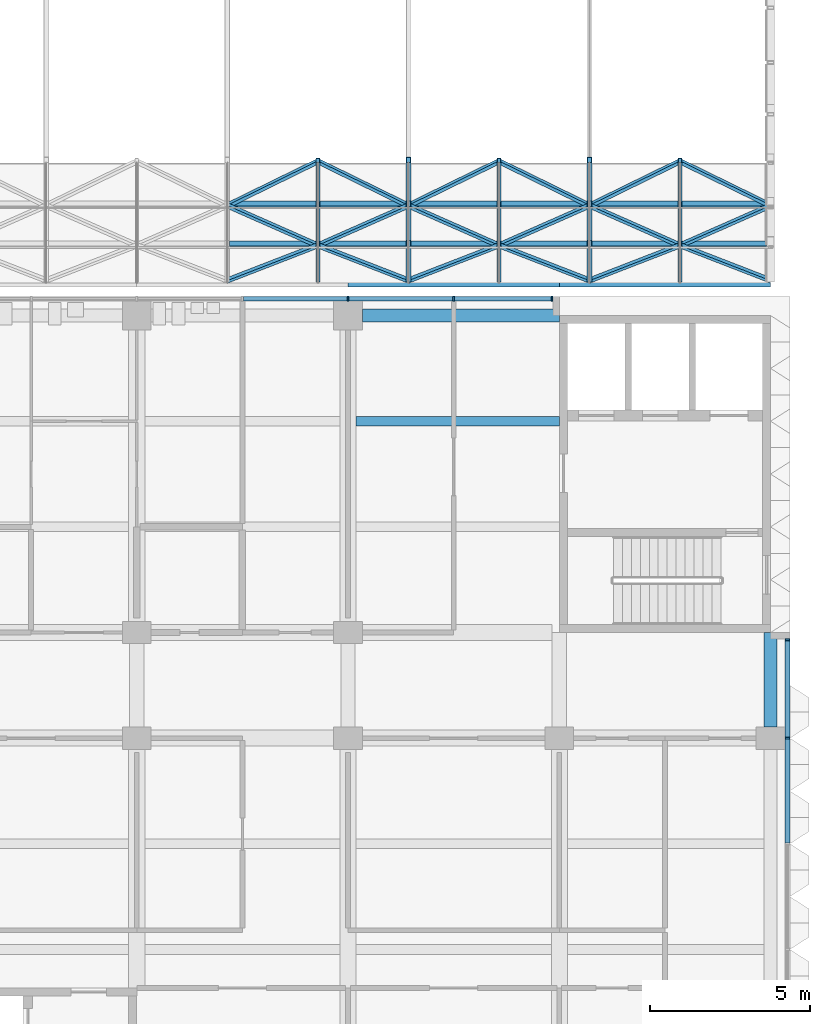
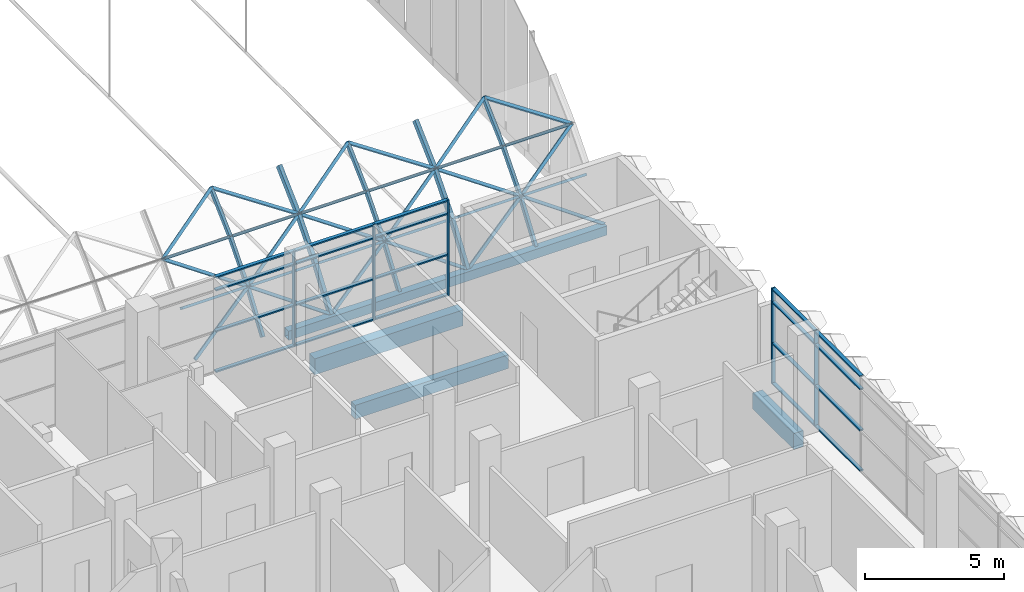
# One storey, part 29 of 109: 70 members, 5 beams, 2 elements without a shape of their own.
"""IFC4 building model written with IfcOpenShell, lengths in metres."""

from ifc_helpers import new_model, si_unit, direction, frame, origin, origin_2d, place, context, subcontext, project, spatial, rectangle, hollow_rectangle, extrude, material, material_profile, profile_set, type_object, element, aggregate, save


model = new_model("IFC4")

# Units and contexts
model_context = context("Model", 3, precision=1e-05, world=origin(), true_north=direction((0.0, 1.0)))
body_context = subcontext(model_context, "Body", "Model", "MODEL_VIEW")
ifc_project = project(units=[si_unit("LENGTHUNIT", "METRE"), si_unit("AREAUNIT", "SQUARE_METRE"), si_unit("VOLUMEUNIT", "CUBIC_METRE"), si_unit("PLANEANGLEUNIT", "RADIAN"), si_unit("MASSUNIT", "GRAM", prefix="KILO")], contexts=[model_context])

# Site, building, storey
site_placement = place(None, origin())
site = spatial("IfcSite", under=ifc_project, at=site_placement, CompositionType="ELEMENT")
building_placement = place(site_placement, origin())
building = spatial("IfcBuilding", under=site, at=building_placement, Name="Lantern Court Research Institute", CompositionType="ELEMENT")
storey_placement = place(building_placement, frame((0.0, 0.0, 14.39990234375)))
storey = spatial("IfcBuildingStorey", under=building, at=storey_placement, Name="L03", CompositionType="ELEMENT", Elevation=14.39990234375)

# Members
ifc_material_1 = material(Name="Structural steel S355", Category="steel")
ifc_material_profile_1 = material_profile(ifc_material_1, hollow_rectangle(XDim=0.1201171875, YDim=0.1201171875, WallThickness=0.008056640625, at=origin_2d()), Name="Gridshell haunch diagonal RHS 120 x 120 x 8")
ifc_profile_set_1 = profile_set([ifc_material_profile_1], Name="Structural steel S355")
member_type_1 = type_object("IfcMemberType", Name="Gridshell haunch diagonal RHS 120 x 120 x 8", PredefinedType="BRACE", material=ifc_profile_set_1)
for number, where, z_axis, x_axis, name in (
    (1, (62.228515625, 24.198974609375, 0.365478515625), (0.829757421007, 0.321633055217, 0.45613024464), (-0.558124199292, 0.478137532634, 0.678145912065), "Gridshell diagonal"),
    (2, (65.05712890625, 25.29150390625, 1.91552734375), (-0.829775196139, 0.365828733116, 0.421476525917), (-0.558097772678, -0.543914119911, -0.62664527948), "Gridshell diagonal"),
    (3, (62.228515625, 26.534423828125, 3.347900390625), (0.829761681147, 0.406358344452, 0.382581296451), (-0.558117866133, 0.60414109168, 0.568786417601), "Gridshell diagonal"),
    (4, (67.8857421875, 24.198974609375, 0.365478515625), (-0.829757421007, 0.321633055217, 0.45613024464), (-0.558124199292, -0.478137532634, -0.678145912065), "Gridshell diagonal"),
    (5, (65.05712890625, 25.29150390625, 1.91552734375), (0.829775196139, 0.365828733116, 0.421476525917), (-0.558097772678, 0.543914119911, 0.62664527948), "Gridshell diagonal"),
    (6, (67.8857421875, 26.534423828125, 3.347900390625), (-0.829761681147, 0.406358344452, 0.382581296451), (-0.558117866133, -0.60414109168, -0.568786417601), "Gridshell diagonal"),
    (7, (67.8857421875, 24.198974609375, 0.365478515625), (0.829757421007, 0.321633055217, 0.45613024464), (-0.558124199292, 0.478137532634, 0.678145912065), "Gridshell diagonal"),
    (8, (70.71435546875, 25.29150390625, 1.91552734375), (-0.829775196139, 0.365828733116, 0.421476525917), (-0.558097772678, -0.543914119911, -0.62664527948), "Gridshell diagonal"),
    (9, (67.8857421875, 26.534423828125, 3.347900390625), (0.829761681147, 0.406358344452, 0.382581296451), (-0.558117866133, 0.60414109168, 0.568786417601), "Gridshell diagonal"),
    (10, (73.54296875, 24.198974609375, 0.365478515625), (-0.829757421007, 0.321633055217, 0.45613024464), (-0.558124199292, -0.478137532634, -0.678145912065), "Gridshell diagonal"),
    (11, (70.71435546875, 25.29150390625, 1.91552734375), (0.829775196139, 0.365828733116, 0.421476525917), (-0.558097772678, 0.543914119911, 0.62664527948), "Gridshell diagonal"),
    (12, (73.54296875, 26.534423828125, 3.347900390625), (-0.829761681147, 0.406358344452, 0.382581296451), (-0.558117866133, -0.60414109168, -0.568786417601), "Gridshell diagonal"),
):
    element("IfcMember", number, at=place(storey_placement, frame(where, z_axis=z_axis, x_axis=x_axis)), inside=storey, type_object=member_type_1, Name=name, PredefinedType="BRACE", context=body_context, shape_type="SweptSolid", body=[
        extrude(hollow_rectangle(XDim=0.1201171875, YDim=0.1201171875, WallThickness=0.008056640625, at=origin_2d()), origin(), (0.0, 0.0, 1.0), 3.408935546875),
    ])
for number, where, z_axis, x_axis, name in (
    (13, (73.54296875, 24.198974609375, 0.365478515625), (0.829735110058, 0.321652169121, 0.456157351399), (-0.558157366986, 0.478113831457, 0.678135324142), "Gridshell diagonal"),
    (14, (76.371337890625, 25.29150390625, 1.91552734375), (-0.829752886825, 0.365850474398, 0.42150157436), (-0.55813094053, -0.54388935428, -0.62663723439), "Gridshell diagonal"),
    (15, (73.54296875, 26.534423828125, 3.347900390625), (0.82973937059, 0.406382493632, 0.382604032602), (-0.558151034099, 0.604115905866, 0.568780621518), "Gridshell diagonal"),
):
    element("IfcMember", number, at=place(storey_placement, frame(where, z_axis=z_axis, x_axis=x_axis)), inside=storey, type_object=member_type_1, Name=name, PredefinedType="BRACE", context=body_context, shape_type="SweptSolid", body=[
        extrude(hollow_rectangle(XDim=0.1201171875, YDim=0.1201171875, WallThickness=0.008056640625, at=origin_2d()), origin(), (0.0, 0.0, 1.0), 3.40869140625),
    ])
for number, where, z_axis, x_axis, name in (
    (16, (79.199951171875, 24.198974609375, 0.365478515625), (-0.829757421007, 0.321633055217, 0.45613024464), (-0.558124199292, -0.478137532634, -0.678145912065), "Gridshell diagonal"),
    (17, (76.371337890625, 25.29150390625, 1.91552734375), (0.829775196139, 0.365828733116, 0.421476525917), (-0.558097772678, 0.543914119911, 0.62664527948), "Gridshell diagonal"),
    (18, (79.199951171875, 26.534423828125, 3.347900390625), (-0.829761681147, 0.406358344452, 0.382581296451), (-0.558117866133, -0.60414109168, -0.568786417601), "Gridshell diagonal"),
):
    element("IfcMember", number, at=place(storey_placement, frame(where, z_axis=z_axis, x_axis=x_axis)), inside=storey, type_object=member_type_1, Name=name, PredefinedType="BRACE", context=body_context, shape_type="SweptSolid", body=[
        extrude(hollow_rectangle(XDim=0.1201171875, YDim=0.1201171875, WallThickness=0.008056640625, at=origin_2d()), origin(), (0.0, 0.0, 1.0), 3.408935546875),
    ])
ifc_material_2 = material(Name="Structural steel S355", Category="steel")
ifc_material_profile_2 = material_profile(ifc_material_2, hollow_rectangle(XDim=0.10009765625, YDim=0.199951171875, WallThickness=0.008056640625, at=origin_2d()), Name="Gridshell purlin RHS 200 x 100 x 8")
ifc_profile_set_2 = profile_set([ifc_material_profile_2], Name="Structural steel S355")
member_type_2 = type_object("IfcMemberType", Name="Gridshell purlin RHS 200 x 100 x 8", PredefinedType="PURLIN", material=ifc_profile_set_2)
for number, where, z_axis, x_axis, name in (
    (19, (62.303466796875, 25.324951171875, 1.893310546875), (1.0, 0.0, 0.0), (0.0, 0.616657332959, 0.787231689979), "Gridshell purlin"),
    (20, (65.1171875, 25.324951171875, 1.893310546875), (1.0, 0.0, 0.0), (0.0, 0.616657332959, 0.787231689979), "Gridshell purlin"),
    (21, (67.960693359375, 25.324951171875, 1.893310546875), (1.0, 0.0, 0.0), (0.0, 0.616657332959, 0.787231689979), "Gridshell purlin"),
    (22, (70.774169921875, 25.324951171875, 1.893310546875), (1.0, 0.0, 0.0), (0.0, 0.616657332959, 0.787231689979), "Gridshell purlin"),
    (23, (73.617919921875, 25.324951171875, 1.893310546875), (1.0, 0.0, 0.0), (0.0, 0.616657332959, 0.787231689979), "Gridshell purlin"),
):
    element("IfcMember", number, at=place(storey_placement, frame(where, z_axis=z_axis, x_axis=x_axis)), inside=storey, type_object=member_type_2, Name=name, PredefinedType="PURLIN", context=body_context, shape_type="SweptSolid", body=[
        extrude(hollow_rectangle(XDim=0.10009765625, YDim=0.199951171875, WallThickness=0.008056640625, at=origin_2d()), origin(), (0.0, 0.0, 1.0), 2.693603515625),
    ])
member_1_placement = place(storey_placement, frame((76.431396484375, 25.324951171875, 1.893310546875), z_axis=(1.0, 0.0, 0.0), x_axis=(0.0, 0.616657332959, 0.787231689979)))
element("IfcMember", 24, at=member_1_placement, inside=storey, type_object=member_type_2, Name="Gridshell purlin", PredefinedType="PURLIN", context=body_context, shape_type="SweptSolid", body=[
    extrude(hollow_rectangle(XDim=0.10009765625, YDim=0.199951171875, WallThickness=0.008056640625, at=origin_2d()), origin(), (0.0, 0.0, 1.0), 2.6435546875),
])
for number, where, z_axis, x_axis, name in (
    (25, (62.303466796875, 26.5654296875, 3.322265625), (1.0, 0.0, 0.0), (0.0, 0.692674230917, 0.721250587399), "Gridshell purlin"),
    (26, (65.1171875, 26.5654296875, 3.322265625), (1.0, 0.0, 0.0), (0.0, 0.692674230917, 0.721250587399), "Gridshell purlin"),
    (27, (67.960693359375, 26.5654296875, 3.322265625), (1.0, 0.0, 0.0), (0.0, 0.692674230917, 0.721250587399), "Gridshell purlin"),
    (28, (70.774169921875, 26.5654296875, 3.322265625), (1.0, 0.0, 0.0), (0.0, 0.692674230917, 0.721250587399), "Gridshell purlin"),
    (29, (73.617919921875, 26.5654296875, 3.322265625), (1.0, 0.0, 0.0), (0.0, 0.692674230917, 0.721250587399), "Gridshell purlin"),
):
    element("IfcMember", number, at=place(storey_placement, frame(where, z_axis=z_axis, x_axis=x_axis)), inside=storey, type_object=member_type_2, Name=name, PredefinedType="PURLIN", context=body_context, shape_type="SweptSolid", body=[
        extrude(hollow_rectangle(XDim=0.10009765625, YDim=0.199951171875, WallThickness=0.008056640625, at=origin_2d()), origin(), (0.0, 0.0, 1.0), 2.693603515625),
    ])
member_2_placement = place(storey_placement, frame((76.431396484375, 26.5654296875, 3.322265625), z_axis=(1.0, 0.0, 0.0), x_axis=(0.0, 0.692674230917, 0.721250587399)))
element("IfcMember", 30, at=member_2_placement, inside=storey, type_object=member_type_2, Name="Gridshell purlin", PredefinedType="PURLIN", context=body_context, shape_type="SweptSolid", body=[
    extrude(hollow_rectangle(XDim=0.10009765625, YDim=0.199951171875, WallThickness=0.008056640625, at=origin_2d()), origin(), (0.0, 0.0, 1.0), 2.6435546875),
])

# Beams
ifc_material_3 = material(Name="Structural steel S355", Category="steel")
ifc_material_profile_3 = material_profile(ifc_material_3, hollow_rectangle(XDim=0.300048828125, YDim=0.39990234375, WallThickness=0.01611328125, at=origin_2d()), Name="Gridshell ring beam RHS 400 x 300 x 16")
ifc_profile_set_3 = profile_set([ifc_material_profile_3], Name="Structural steel S355")
beam_type_1 = type_object("IfcBeamType", Name="Gridshell ring beam RHS 400 x 300 x 16", PredefinedType="BEAM", material=ifc_profile_set_3)
beam_1_placement = place(storey_placement, frame((66.0, 24.14990234375, 0.2001953125), z_axis=(1.0, 0.0, 0.0), x_axis=(0.0, 1.0, 0.0)))
element("IfcBeam", 31, at=beam_1_placement, inside=storey, type_object=beam_type_1, Name="Ring beam S", PredefinedType="BEAM", context=body_context, shape_type="SweptSolid", body=[
    extrude(hollow_rectangle(XDim=0.300048828125, YDim=0.39990234375, WallThickness=0.01611328125, at=origin_2d()), origin(), (0.0, 0.0, 1.0), 6.60009765625),
])
beam_2_placement = place(storey_placement, frame((72.60009765625, 24.14990234375, 0.2001953125), z_axis=(1.0, 0.0, 0.0), x_axis=(0.0, 1.0, 0.0)))
element("IfcBeam", 32, at=beam_2_placement, inside=storey, type_object=beam_type_1, Name="Ring beam S", PredefinedType="BEAM", context=body_context, shape_type="SweptSolid", body=[
    extrude(hollow_rectangle(XDim=0.300048828125, YDim=0.39990234375, WallThickness=0.01611328125, at=origin_2d()), origin(), (0.0, 0.0, 1.0), 6.599853515625),
])

# Members
ifc_material_4 = material(Name="Structural steel S355", Category="steel")
ifc_material_profile_4 = material_profile(ifc_material_4, hollow_rectangle(XDim=0.1201171875, YDim=0.199951171875, WallThickness=0.008056640625, at=origin_2d()), Name="Gridshell secondary rib RHS 200 x 120 x 8")
ifc_profile_set_4 = profile_set([ifc_material_profile_4], Name="Structural steel S355")
member_type_3 = type_object("IfcMemberType", Name="Gridshell secondary rib RHS 200 x 120 x 8", PredefinedType="RAFTER", material=ifc_profile_set_4)
member_3_placement = place(storey_placement, frame((65.05712890625, 24.231689453125, 0.342529296875), z_axis=(0.0, 0.576335495229, 0.817213189406), x_axis=(-1.0, 0.0, 0.0)))
element("IfcMember", 33, at=member_3_placement, inside=storey, type_object=member_type_3, Name="Gridshell secondary rib", PredefinedType="RAFTER", context=body_context, shape_type="SweptSolid", body=[
    extrude(hollow_rectangle(XDim=0.1201171875, YDim=0.199951171875, WallThickness=0.008056640625, at=origin_2d()), origin(), (0.0, 0.0, 1.0), 1.90234375),
])
member_4_placement = place(storey_placement, frame((65.05712890625, 25.32177734375, 1.889404296875), z_axis=(0.0, 0.655492193344, 0.755201949458), x_axis=(-1.0, 0.0, 0.0)))
element("IfcMember", 34, at=member_4_placement, inside=storey, type_object=member_type_3, Name="Gridshell secondary rib", PredefinedType="RAFTER", context=body_context, shape_type="SweptSolid", body=[
    extrude(hollow_rectangle(XDim=0.1201171875, YDim=0.199951171875, WallThickness=0.008056640625, at=origin_2d()), origin(), (0.0, 0.0, 1.0), 1.902587890625),
])
for number, where, z_axis, x_axis, name in (
    (35, (65.05712890625, 26.561767578125, 3.31884765625), (0.0, 0.728151013069, 0.68541673613), (-1.0, 0.0, 0.0), "Gridshell secondary rib"),
    (36, (70.71435546875, 24.231689453125, 0.342529296875), (0.0, 0.576335495229, 0.817213189406), (-1.0, 0.0, 0.0), "Gridshell secondary rib"),
):
    element("IfcMember", number, at=place(storey_placement, frame(where, z_axis=z_axis, x_axis=x_axis)), inside=storey, type_object=member_type_3, Name=name, PredefinedType="RAFTER", context=body_context, shape_type="SweptSolid", body=[
        extrude(hollow_rectangle(XDim=0.1201171875, YDim=0.199951171875, WallThickness=0.008056640625, at=origin_2d()), origin(), (0.0, 0.0, 1.0), 1.90234375),
    ])
member_5_placement = place(storey_placement, frame((70.71435546875, 25.32177734375, 1.889404296875), z_axis=(0.0, 0.655492193344, 0.755201949458), x_axis=(-1.0, 0.0, 0.0)))
element("IfcMember", 37, at=member_5_placement, inside=storey, type_object=member_type_3, Name="Gridshell secondary rib", PredefinedType="RAFTER", context=body_context, shape_type="SweptSolid", body=[
    extrude(hollow_rectangle(XDim=0.1201171875, YDim=0.199951171875, WallThickness=0.008056640625, at=origin_2d()), origin(), (0.0, 0.0, 1.0), 1.902587890625),
])
for number, where, z_axis, x_axis, name in (
    (38, (70.71435546875, 26.561767578125, 3.31884765625), (0.0, 0.728151013069, 0.68541673613), (-1.0, 0.0, 0.0), "Gridshell secondary rib"),
    (39, (76.371337890625, 24.231689453125, 0.342529296875), (0.0, 0.576335495229, 0.817213189406), (-1.0, 0.0, 0.0), "Gridshell secondary rib"),
):
    element("IfcMember", number, at=place(storey_placement, frame(where, z_axis=z_axis, x_axis=x_axis)), inside=storey, type_object=member_type_3, Name=name, PredefinedType="RAFTER", context=body_context, shape_type="SweptSolid", body=[
        extrude(hollow_rectangle(XDim=0.1201171875, YDim=0.199951171875, WallThickness=0.008056640625, at=origin_2d()), origin(), (0.0, 0.0, 1.0), 1.90234375),
    ])
member_6_placement = place(storey_placement, frame((76.371337890625, 25.32177734375, 1.889404296875), z_axis=(0.0, 0.655492193344, 0.755201949458), x_axis=(-1.0, 0.0, 0.0)))
element("IfcMember", 40, at=member_6_placement, inside=storey, type_object=member_type_3, Name="Gridshell secondary rib", PredefinedType="RAFTER", context=body_context, shape_type="SweptSolid", body=[
    extrude(hollow_rectangle(XDim=0.1201171875, YDim=0.199951171875, WallThickness=0.008056640625, at=origin_2d()), origin(), (0.0, 0.0, 1.0), 1.902587890625),
])
member_7_placement = place(storey_placement, frame((76.371337890625, 26.561767578125, 3.31884765625), z_axis=(0.0, 0.728151013069, 0.68541673613), x_axis=(-1.0, 0.0, 0.0)))
element("IfcMember", 41, at=member_7_placement, inside=storey, type_object=member_type_3, Name="Gridshell secondary rib", PredefinedType="RAFTER", context=body_context, shape_type="SweptSolid", body=[
    extrude(hollow_rectangle(XDim=0.1201171875, YDim=0.199951171875, WallThickness=0.008056640625, at=origin_2d()), origin(), (0.0, 0.0, 1.0), 1.90234375),
])
ifc_material_5 = material(Name="Structural steel S355", Category="steel")
ifc_material_profile_5 = material_profile(ifc_material_5, hollow_rectangle(XDim=0.14990234375, YDim=0.25, WallThickness=0.010009765625, at=origin_2d()), Name="Gridshell springing rib RHS 250 x 150 x 10")
ifc_profile_set_5 = profile_set([ifc_material_profile_5], Name="Structural steel S355")
member_type_4 = type_object("IfcMemberType", Name="Gridshell springing rib RHS 250 x 150 x 10", PredefinedType="RAFTER", material=ifc_profile_set_5)
member_8_placement = place(storey_placement, frame((67.8857421875, 24.252197265625, 0.328125), z_axis=(0.0, 0.576249781335, 0.817273631969), x_axis=(-1.0, 0.0, 0.0)))
element("IfcMember", 42, at=member_8_placement, inside=storey, type_object=member_type_4, Name="Gridshell rib", PredefinedType="RAFTER", context=body_context, shape_type="SweptSolid", body=[
    extrude(hollow_rectangle(XDim=0.14990234375, YDim=0.25, WallThickness=0.010009765625, at=origin_2d()), origin(), (0.0, 0.0, 1.0), 1.90234375),
])
member_9_placement = place(storey_placement, frame((67.8857421875, 25.340576171875, 1.873046875), z_axis=(0.0, 0.655492193344, 0.755201949458), x_axis=(-1.0, 0.0, 0.0)))
element("IfcMember", 43, at=member_9_placement, inside=storey, type_object=member_type_4, Name="Gridshell rib", PredefinedType="RAFTER", context=body_context, shape_type="SweptSolid", body=[
    extrude(hollow_rectangle(XDim=0.14990234375, YDim=0.25, WallThickness=0.010009765625, at=origin_2d()), origin(), (0.0, 0.0, 1.0), 1.902587890625),
])
for number, where, z_axis, x_axis, name in (
    (44, (67.8857421875, 26.5791015625, 3.300537109375), (0.0, 0.728026662528, 0.685548815657), (-1.0, 0.0, 0.0), "Gridshell rib"),
    (45, (73.54296875, 24.252197265625, 0.328125), (0.0, 0.576249781335, 0.817273631969), (-1.0, 0.0, 0.0), "Gridshell rib"),
):
    element("IfcMember", number, at=place(storey_placement, frame(where, z_axis=z_axis, x_axis=x_axis)), inside=storey, type_object=member_type_4, Name=name, PredefinedType="RAFTER", context=body_context, shape_type="SweptSolid", body=[
        extrude(hollow_rectangle(XDim=0.14990234375, YDim=0.25, WallThickness=0.010009765625, at=origin_2d()), origin(), (0.0, 0.0, 1.0), 1.90234375),
    ])
member_10_placement = place(storey_placement, frame((73.54296875, 25.340576171875, 1.873046875), z_axis=(0.0, 0.655492193344, 0.755201949458), x_axis=(-1.0, 0.0, 0.0)))
element("IfcMember", 46, at=member_10_placement, inside=storey, type_object=member_type_4, Name="Gridshell rib", PredefinedType="RAFTER", context=body_context, shape_type="SweptSolid", body=[
    extrude(hollow_rectangle(XDim=0.14990234375, YDim=0.25, WallThickness=0.010009765625, at=origin_2d()), origin(), (0.0, 0.0, 1.0), 1.902587890625),
])
member_11_placement = place(storey_placement, frame((73.54296875, 26.5791015625, 3.300537109375), z_axis=(0.0, 0.728026662528, 0.685548815657), x_axis=(-1.0, 0.0, 0.0)))
element("IfcMember", 47, at=member_11_placement, inside=storey, type_object=member_type_4, Name="Gridshell rib", PredefinedType="RAFTER", context=body_context, shape_type="SweptSolid", body=[
    extrude(hollow_rectangle(XDim=0.14990234375, YDim=0.25, WallThickness=0.010009765625, at=origin_2d()), origin(), (0.0, 0.0, 1.0), 1.90234375),
])

# Curtain wall, members
ifc_material_6 = material(Name="Aluminium alloy 6063-T6", Category="aluminium")
curtain_wall_type_1 = type_object("IfcCurtainWallType", Name="Curtain wall 21250 x 4200 x 150 aluminium frame", PredefinedType="NOTDEFINED", material=ifc_material_6)
curtain_wall_1_placement = place(storey_placement, origin())
curtain_wall_1 = element("IfcCurtainWall", 48, at=curtain_wall_1_placement, inside=storey, type_object=curtain_wall_type_1, Name="Curtain wall CW057", PredefinedType="NOTDEFINED")
ifc_material_7 = material(Name="Aluminium alloy 6063-T6", Category="aluminium")
ifc_material_profile_6 = material_profile(ifc_material_7, rectangle(XDim=0.14990234375, YDim=0.06005859375, at=origin_2d()), Name="Mullion 150 x 60")
ifc_profile_set_6 = profile_set([ifc_material_profile_6], Name="Aluminium alloy 6063-T6")
member_type_5 = type_object("IfcMemberType", Name="Mullion 150 x 60 aluminium", PredefinedType="MULLION", material=ifc_profile_set_6)
member_12_placement = place(storey_placement, frame((79.72509765625, 9.89990234375, 0.0), z_axis=(0.0, 0.0, 1.0), x_axis=(1.0, 0.0, 0.0)))
member_12 = element("IfcMember", 49, at=member_12_placement, type_object=member_type_5, Name="CW057 mullion 7", PredefinedType="MULLION", context=body_context, shape_type="SweptSolid", body=[
    extrude(rectangle(XDim=0.14990234375, YDim=0.06005859375, at=origin_2d()), origin(), (0.0, 0.0, 1.0), 4.2001953125),
])
member_13_placement = place(storey_placement, frame((79.72509765625, 12.969970703125, 0.0), z_axis=(0.0, 0.0, 1.0), x_axis=(1.0, 0.0, 0.0)))
member_13 = element("IfcMember", 50, at=member_13_placement, type_object=member_type_5, Name="CW057 mullion 8", PredefinedType="MULLION", context=body_context, shape_type="SweptSolid", body=[
    extrude(rectangle(XDim=0.14990234375, YDim=0.06005859375, at=origin_2d()), origin(), (0.0, 0.0, 1.0), 4.2001953125),
])

ifc_material_8 = material(Name="Aluminium alloy 6063-T6", Category="aluminium")
curtain_wall_type_2 = type_object("IfcCurtainWallType", Name="Curtain wall 19600 x 4200 x 150 aluminium frame", PredefinedType="NOTDEFINED", material=ifc_material_8)
curtain_wall_2_placement = place(storey_placement, origin())
curtain_wall_2 = element("IfcCurtainWall", 51, at=curtain_wall_2_placement, inside=storey, type_object=curtain_wall_type_2, Name="Curtain wall CW058", PredefinedType="NOTDEFINED")
member_14_placement = place(storey_placement, frame((66.0, 23.625, 0.0), z_axis=(0.0, 0.0, 1.0), x_axis=(0.0, 1.0, 0.0)))
member_14 = element("IfcMember", 52, at=member_14_placement, type_object=member_type_5, Name="CW058 mullion 5", PredefinedType="MULLION", context=body_context, shape_type="SweptSolid", body=[
    extrude(rectangle(XDim=0.14990234375, YDim=0.06005859375, at=origin_2d()), origin(), (0.0, 0.0, 1.0), 4.2001953125),
])
member_15_placement = place(storey_placement, frame((69.300048828125, 23.625, 0.0), z_axis=(0.0, 0.0, 1.0), x_axis=(0.0, 1.0, 0.0)))
member_15 = element("IfcMember", 53, at=member_15_placement, type_object=member_type_5, Name="CW058 mullion 6", PredefinedType="MULLION", context=body_context, shape_type="SweptSolid", body=[
    extrude(rectangle(XDim=0.14990234375, YDim=0.06005859375, at=origin_2d()), origin(), (0.0, 0.0, 1.0), 4.2001953125),
])
member_16_placement = place(storey_placement, frame((72.3701171875, 23.625, 0.0), z_axis=(0.0, 0.0, 1.0), x_axis=(0.0, 1.0, 0.0)))
member_16 = element("IfcMember", 54, at=member_16_placement, type_object=member_type_5, Name="CW058 mullion 7", PredefinedType="MULLION", context=body_context, shape_type="SweptSolid", body=[
    extrude(rectangle(XDim=0.14990234375, YDim=0.06005859375, at=origin_2d()), origin(), (0.0, 0.0, 1.0), 4.2001953125),
])

# Beams
ifc_material_9 = material(Name="Concrete C40/50", Category="concrete")
ifc_material_profile_7 = material_profile(ifc_material_9, rectangle(XDim=0.39990234375, YDim=0.699951171875, at=origin_2d()), Name="RC beam 400 x 700")
ifc_profile_set_7 = profile_set([ifc_material_profile_7], Name="Concrete C40/50")
beam_type_2 = type_object("IfcBeamType", Name="RC edge beam 400 x 700", PredefinedType="BEAM", material=ifc_profile_set_7)
beam_3_placement = place(storey_placement, frame((79.199951171875, 10.25, -0.64990234375), z_axis=(0.0, 1.0, 0.0), x_axis=(-1.0, 0.0, 0.0)))
element("IfcBeam", 55, at=beam_3_placement, inside=storey, type_object=beam_type_2, Name="Edge beam L03 grid 13/B-C", PredefinedType="BEAM", context=body_context, shape_type="SweptSolid", body=[
    extrude(rectangle(XDim=0.39990234375, YDim=0.699951171875, at=origin_2d()), origin(), (0.0, 0.0, 1.0), 2.949951171875),
])
beam_4_placement = place(storey_placement, frame((66.449951171875, 23.10009765625, -0.64990234375), z_axis=(1.0, 0.0, 0.0), x_axis=(0.0, 1.0, 0.0)))
element("IfcBeam", 56, at=beam_4_placement, inside=storey, type_object=beam_type_2, Name="Edge beam L03 grid D/11-12", PredefinedType="BEAM", context=body_context, shape_type="SweptSolid", body=[
    extrude(rectangle(XDim=0.39990234375, YDim=0.699951171875, at=origin_2d()), origin(), (0.0, 0.0, 1.0), 6.150146484375),
])
ifc_material_10 = material(Name="Concrete C40/50", Category="concrete")
ifc_material_profile_8 = material_profile(ifc_material_10, rectangle(XDim=0.300048828125, YDim=0.60009765625, at=origin_2d()), Name="RC beam 300 x 600")
ifc_profile_set_8 = profile_set([ifc_material_profile_8], Name="Concrete C40/50")
beam_type_3 = type_object("IfcBeamType", Name="RC secondary beam 300 x 600", PredefinedType="BEAM", material=ifc_profile_set_8)
beam_5_placement = place(storey_placement, frame((66.25, 19.800048828125, -0.599853515625), z_axis=(1.0, 0.0, 0.0), x_axis=(0.0, 1.0, 0.0)))
element("IfcBeam", 57, at=beam_5_placement, inside=storey, type_object=beam_type_3, Name="Secondary beam L03 grids 11-12 / C-D, line 2", PredefinedType="BEAM", context=body_context, shape_type="SweptSolid", body=[
    extrude(rectangle(XDim=0.300048828125, YDim=0.60009765625, at=origin_2d()), origin(), (0.0, 0.0, 1.0), 6.35009765625),
])

# Member
ifc_material_11 = material(Name="Aluminium alloy 6063-T6", Category="aluminium")
ifc_material_profile_9 = material_profile(ifc_material_11, rectangle(XDim=0.14990234375, YDim=0.06005859375, at=origin_2d()), Name="Transom 150 x 60")
ifc_profile_set_9 = profile_set([ifc_material_profile_9], Name="Aluminium alloy 6063-T6")
member_type_6 = type_object("IfcMemberType", Name="Transom 150 x 60 aluminium", PredefinedType="USERDEFINED", material=ifc_profile_set_9)
member_17_placement = place(storey_placement, frame((79.72509765625, 9.8701171875, 0.030029296875), z_axis=(0.0, -1.0, 0.0), x_axis=(1.0, 0.0, 0.0)))
member_17 = element("IfcMember", 58, at=member_17_placement, type_object=member_type_6, Name="CW057 transom 6.1", ObjectType="TRANSOM", PredefinedType="USERDEFINED", context=body_context, shape_type="SweptSolid", body=[
    extrude(rectangle(XDim=0.14990234375, YDim=0.06005859375, at=origin_2d()), origin(), (0.0, 0.0, 1.0), 3.240234375),
])

member_18_placement = place(storey_placement, frame((79.72509765625, 9.8701171875, 1.800048828125), z_axis=(0.0, -1.0, 0.0), x_axis=(1.0, 0.0, 0.0)))
member_18 = element("IfcMember", 59, at=member_18_placement, type_object=member_type_6, Name="CW057 transom 6.2", ObjectType="TRANSOM", PredefinedType="USERDEFINED", context=body_context, shape_type="SweptSolid", body=[
    extrude(rectangle(XDim=0.14990234375, YDim=0.06005859375, at=origin_2d()), origin(), (0.0, 0.0, 1.0), 3.240234375),
])

member_19_placement = place(storey_placement, frame((79.72509765625, 9.8701171875, 3.60009765625), z_axis=(0.0, -1.0, 0.0), x_axis=(1.0, 0.0, 0.0)))
member_19 = element("IfcMember", 60, at=member_19_placement, type_object=member_type_6, Name="CW057 transom 6.3", ObjectType="TRANSOM", PredefinedType="USERDEFINED", context=body_context, shape_type="SweptSolid", body=[
    extrude(rectangle(XDim=0.14990234375, YDim=0.06005859375, at=origin_2d()), origin(), (0.0, 0.0, 1.0), 3.240234375),
])

member_20_placement = place(storey_placement, frame((79.72509765625, 9.8701171875, 4.170166015625), z_axis=(0.0, -1.0, 0.0), x_axis=(1.0, 0.0, 0.0)))
member_20 = element("IfcMember", 61, at=member_20_placement, type_object=member_type_6, Name="CW057 transom 6.4", ObjectType="TRANSOM", PredefinedType="USERDEFINED", context=body_context, shape_type="SweptSolid", body=[
    extrude(rectangle(XDim=0.14990234375, YDim=0.06005859375, at=origin_2d()), origin(), (0.0, 0.0, 1.0), 3.240234375),
])

member_21_placement = place(storey_placement, frame((79.72509765625, 12.93994140625, 0.030029296875), z_axis=(0.0, -1.0, 0.0), x_axis=(1.0, 0.0, 0.0)))
member_21 = element("IfcMember", 62, at=member_21_placement, type_object=member_type_6, Name="CW057 transom 7.1", ObjectType="TRANSOM", PredefinedType="USERDEFINED", context=body_context, shape_type="SweptSolid", body=[
    extrude(rectangle(XDim=0.14990234375, YDim=0.06005859375, at=origin_2d()), origin(), (0.0, 0.0, 1.0), 3.010009765625),
])

member_22_placement = place(storey_placement, frame((79.72509765625, 12.93994140625, 1.800048828125), z_axis=(0.0, -1.0, 0.0), x_axis=(1.0, 0.0, 0.0)))
member_22 = element("IfcMember", 63, at=member_22_placement, type_object=member_type_6, Name="CW057 transom 7.2", ObjectType="TRANSOM", PredefinedType="USERDEFINED", context=body_context, shape_type="SweptSolid", body=[
    extrude(rectangle(XDim=0.14990234375, YDim=0.06005859375, at=origin_2d()), origin(), (0.0, 0.0, 1.0), 3.010009765625),
])

member_23_placement = place(storey_placement, frame((79.72509765625, 12.93994140625, 3.60009765625), z_axis=(0.0, -1.0, 0.0), x_axis=(1.0, 0.0, 0.0)))
member_23 = element("IfcMember", 64, at=member_23_placement, type_object=member_type_6, Name="CW057 transom 7.3", ObjectType="TRANSOM", PredefinedType="USERDEFINED", context=body_context, shape_type="SweptSolid", body=[
    extrude(rectangle(XDim=0.14990234375, YDim=0.06005859375, at=origin_2d()), origin(), (0.0, 0.0, 1.0), 3.010009765625),
])

member_24_placement = place(storey_placement, frame((79.72509765625, 12.93994140625, 4.170166015625), z_axis=(0.0, -1.0, 0.0), x_axis=(1.0, 0.0, 0.0)))
member_24 = element("IfcMember", 65, at=member_24_placement, type_object=member_type_6, Name="CW057 transom 7.4", ObjectType="TRANSOM", PredefinedType="USERDEFINED", context=body_context, shape_type="SweptSolid", body=[
    extrude(rectangle(XDim=0.14990234375, YDim=0.06005859375, at=origin_2d()), origin(), (0.0, 0.0, 1.0), 3.010009765625),
])

aggregate(curtain_wall_1, [member_12, member_13, member_17, member_18, member_19, member_20, member_21, member_22, member_23, member_24])

member_25_placement = place(storey_placement, frame((62.72998046875, 23.625, 0.030029296875), z_axis=(1.0, 0.0, 0.0), x_axis=(0.0, 1.0, 0.0)))
member_25 = element("IfcMember", 66, at=member_25_placement, type_object=member_type_6, Name="CW058 transom 4.1", ObjectType="TRANSOM", PredefinedType="USERDEFINED", context=body_context, shape_type="SweptSolid", body=[
    extrude(rectangle(XDim=0.14990234375, YDim=0.06005859375, at=origin_2d()), origin(), (0.0, 0.0, 1.0), 3.239990234375),
])

member_26_placement = place(storey_placement, frame((62.72998046875, 23.625, 1.800048828125), z_axis=(1.0, 0.0, 0.0), x_axis=(0.0, 1.0, 0.0)))
member_26 = element("IfcMember", 67, at=member_26_placement, type_object=member_type_6, Name="CW058 transom 4.2", ObjectType="TRANSOM", PredefinedType="USERDEFINED", context=body_context, shape_type="SweptSolid", body=[
    extrude(rectangle(XDim=0.14990234375, YDim=0.06005859375, at=origin_2d()), origin(), (0.0, 0.0, 1.0), 3.239990234375),
])

member_27_placement = place(storey_placement, frame((62.72998046875, 23.625, 3.60009765625), z_axis=(1.0, 0.0, 0.0), x_axis=(0.0, 1.0, 0.0)))
member_27 = element("IfcMember", 68, at=member_27_placement, type_object=member_type_6, Name="CW058 transom 4.3", ObjectType="TRANSOM", PredefinedType="USERDEFINED", context=body_context, shape_type="SweptSolid", body=[
    extrude(rectangle(XDim=0.14990234375, YDim=0.06005859375, at=origin_2d()), origin(), (0.0, 0.0, 1.0), 3.239990234375),
])

member_28_placement = place(storey_placement, frame((62.72998046875, 23.625, 4.170166015625), z_axis=(1.0, 0.0, 0.0), x_axis=(0.0, 1.0, 0.0)))
member_28 = element("IfcMember", 69, at=member_28_placement, type_object=member_type_6, Name="CW058 transom 4.4", ObjectType="TRANSOM", PredefinedType="USERDEFINED", context=body_context, shape_type="SweptSolid", body=[
    extrude(rectangle(XDim=0.14990234375, YDim=0.06005859375, at=origin_2d()), origin(), (0.0, 0.0, 1.0), 3.239990234375),
])

member_29_placement = place(storey_placement, frame((66.030029296875, 23.625, 0.030029296875), z_axis=(1.0, 0.0, 0.0), x_axis=(0.0, 1.0, 0.0)))
member_29 = element("IfcMember", 70, at=member_29_placement, type_object=member_type_6, Name="CW058 transom 5.1", ObjectType="TRANSOM", PredefinedType="USERDEFINED", context=body_context, shape_type="SweptSolid", body=[
    extrude(rectangle(XDim=0.14990234375, YDim=0.06005859375, at=origin_2d()), origin(), (0.0, 0.0, 1.0), 3.239990234375),
])

member_30_placement = place(storey_placement, frame((66.030029296875, 23.625, 1.800048828125), z_axis=(1.0, 0.0, 0.0), x_axis=(0.0, 1.0, 0.0)))
member_30 = element("IfcMember", 71, at=member_30_placement, type_object=member_type_6, Name="CW058 transom 5.2", ObjectType="TRANSOM", PredefinedType="USERDEFINED", context=body_context, shape_type="SweptSolid", body=[
    extrude(rectangle(XDim=0.14990234375, YDim=0.06005859375, at=origin_2d()), origin(), (0.0, 0.0, 1.0), 3.239990234375),
])

member_31_placement = place(storey_placement, frame((66.030029296875, 23.625, 3.60009765625), z_axis=(1.0, 0.0, 0.0), x_axis=(0.0, 1.0, 0.0)))
member_31 = element("IfcMember", 72, at=member_31_placement, type_object=member_type_6, Name="CW058 transom 5.3", ObjectType="TRANSOM", PredefinedType="USERDEFINED", context=body_context, shape_type="SweptSolid", body=[
    extrude(rectangle(XDim=0.14990234375, YDim=0.06005859375, at=origin_2d()), origin(), (0.0, 0.0, 1.0), 3.239990234375),
])

member_32_placement = place(storey_placement, frame((66.030029296875, 23.625, 4.170166015625), z_axis=(1.0, 0.0, 0.0), x_axis=(0.0, 1.0, 0.0)))
member_32 = element("IfcMember", 73, at=member_32_placement, type_object=member_type_6, Name="CW058 transom 5.4", ObjectType="TRANSOM", PredefinedType="USERDEFINED", context=body_context, shape_type="SweptSolid", body=[
    extrude(rectangle(XDim=0.14990234375, YDim=0.06005859375, at=origin_2d()), origin(), (0.0, 0.0, 1.0), 3.239990234375),
])

member_33_placement = place(storey_placement, frame((69.330078125, 23.625, 0.030029296875), z_axis=(1.0, 0.0, 0.0), x_axis=(0.0, 1.0, 0.0)))
member_33 = element("IfcMember", 74, at=member_33_placement, type_object=member_type_6, Name="CW058 transom 6.1", ObjectType="TRANSOM", PredefinedType="USERDEFINED", context=body_context, shape_type="SweptSolid", body=[
    extrude(rectangle(XDim=0.14990234375, YDim=0.06005859375, at=origin_2d()), origin(), (0.0, 0.0, 1.0), 3.010009765625),
])

member_34_placement = place(storey_placement, frame((69.330078125, 23.625, 1.800048828125), z_axis=(1.0, 0.0, 0.0), x_axis=(0.0, 1.0, 0.0)))
member_34 = element("IfcMember", 75, at=member_34_placement, type_object=member_type_6, Name="CW058 transom 6.2", ObjectType="TRANSOM", PredefinedType="USERDEFINED", context=body_context, shape_type="SweptSolid", body=[
    extrude(rectangle(XDim=0.14990234375, YDim=0.06005859375, at=origin_2d()), origin(), (0.0, 0.0, 1.0), 3.010009765625),
])

member_35_placement = place(storey_placement, frame((69.330078125, 23.625, 3.60009765625), z_axis=(1.0, 0.0, 0.0), x_axis=(0.0, 1.0, 0.0)))
member_35 = element("IfcMember", 76, at=member_35_placement, type_object=member_type_6, Name="CW058 transom 6.3", ObjectType="TRANSOM", PredefinedType="USERDEFINED", context=body_context, shape_type="SweptSolid", body=[
    extrude(rectangle(XDim=0.14990234375, YDim=0.06005859375, at=origin_2d()), origin(), (0.0, 0.0, 1.0), 3.010009765625),
])

member_36_placement = place(storey_placement, frame((69.330078125, 23.625, 4.170166015625), z_axis=(1.0, 0.0, 0.0), x_axis=(0.0, 1.0, 0.0)))
member_36 = element("IfcMember", 77, at=member_36_placement, type_object=member_type_6, Name="CW058 transom 6.4", ObjectType="TRANSOM", PredefinedType="USERDEFINED", context=body_context, shape_type="SweptSolid", body=[
    extrude(rectangle(XDim=0.14990234375, YDim=0.06005859375, at=origin_2d()), origin(), (0.0, 0.0, 1.0), 3.010009765625),
])

aggregate(curtain_wall_2, [member_14, member_15, member_16, member_25, member_26, member_27, member_28, member_29, member_30, member_31, member_32, member_33, member_34, member_35, member_36])

save(model, "model.ifc")
